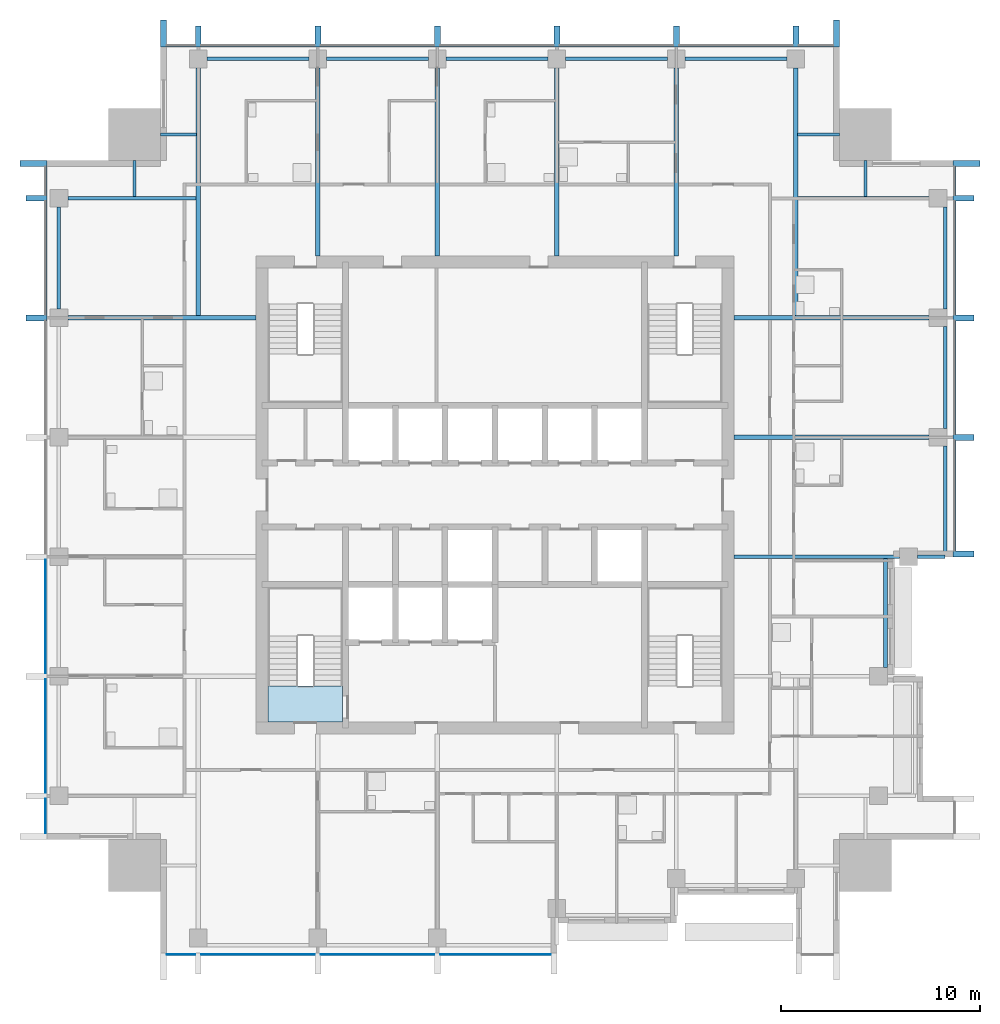
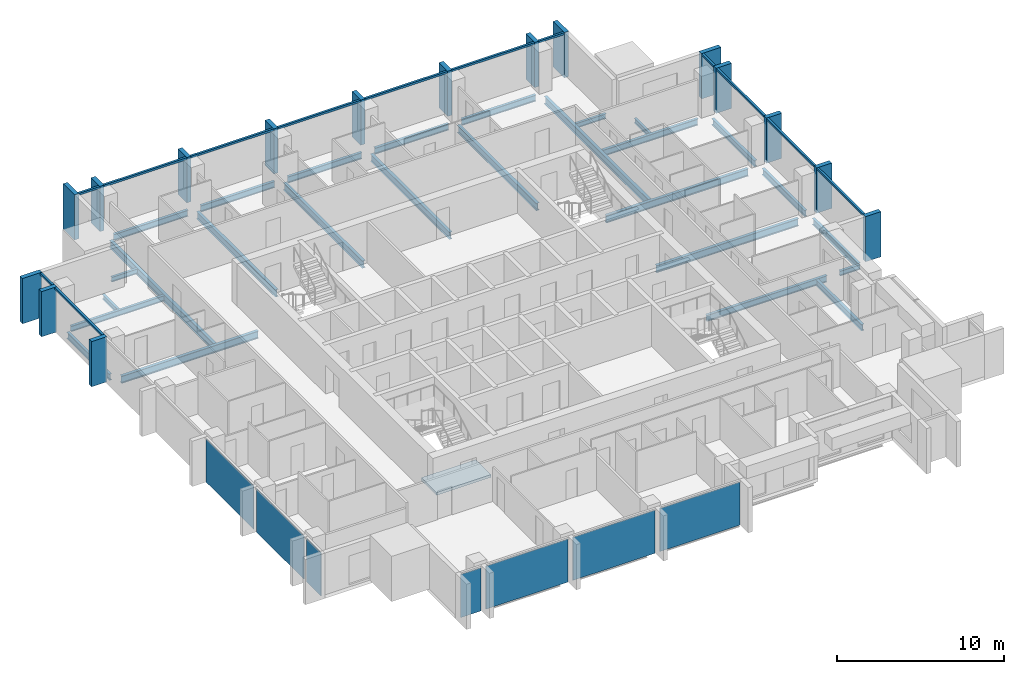
# One storey, part 2 of 10: 29 members, 27 beams, 7 plates, 1 slab, 5 elements without a shape of their own.
"""IFC4 building model written with IfcOpenShell, lengths in metres."""

from ifc_helpers import new_model, si_unit, direction, frame, origin, origin_2d, place, context, subcontext, project, spatial, polyline, rectangle, i_section, outline, extrude, material, layer, layer_set, material_profile, profile_set, type_object, element, aggregate, save


model = new_model("IFC4")

# Units and contexts
model_context = context("Model", 3, precision=1e-05, world=origin(), true_north=direction((0.0, 1.0)))
body_context = subcontext(model_context, "Body", "Model", "MODEL_VIEW")
ifc_project = project(units=[si_unit("LENGTHUNIT", "METRE"), si_unit("AREAUNIT", "SQUARE_METRE"), si_unit("VOLUMEUNIT", "CUBIC_METRE"), si_unit("PLANEANGLEUNIT", "RADIAN"), si_unit("MASSUNIT", "GRAM", prefix="KILO")], contexts=[model_context])

# Site, building, storey
site_placement = place(None, origin())
site = spatial("IfcSite", under=ifc_project, at=site_placement, CompositionType="ELEMENT")
building_placement = place(site_placement, origin())
building = spatial("IfcBuilding", under=site, at=building_placement, Name="Amberfall Residences", CompositionType="ELEMENT")
storey_placement = place(building_placement, frame((0.0, 0.0, 203.5)))
storey = spatial("IfcBuildingStorey", under=building, at=storey_placement, Name="L54", CompositionType="ELEMENT", Elevation=203.5)

# Curtain wall, members
ifc_material_1 = material(Name="Bronze anodised aluminium and glass", Category="aluminium")
curtain_wall_type = type_object("IfcCurtainWallType", Name="Curtain wall CW1 tower unit", PredefinedType="USERDEFINED", material=ifc_material_1)
curtain_wall_1_placement = place(storey_placement, origin())
curtain_wall_1 = element("IfcCurtainWall", 1, at=curtain_wall_1_placement, inside=storey, type_object=curtain_wall_type, Name="Curtain wall L54 E E7", ObjectType="UNITISED CURTAIN WALL", PredefinedType="USERDEFINED")
ifc_material_2 = material(Name="Bronze anodised aluminium", Category="aluminium")
ifc_material_profile_1 = material_profile(ifc_material_2, rectangle(XDim=0.14990234375, YDim=0.14990234375, at=origin_2d()), Name="CW1 transom 150 x 150 bronze")
ifc_profile_set_1 = profile_set([ifc_material_profile_1], Name="Bronze anodised aluminium")
member_type_1 = type_object("IfcMemberType", Name="CW1 transom 150 x 150 bronze", PredefinedType="USERDEFINED", material=ifc_profile_set_1)
member_1_placement = place(storey_placement, frame((97.574951171875, 42.699951171875, 2.97509765625), z_axis=(0.0, 1.0, 0.0), x_axis=(-1.0, 0.0, 0.0)))
member_1 = element("IfcMember", 2, at=member_1_placement, type_object=member_type_1, Name="CW1 transom 1.1", ObjectType="TRANSOM", PredefinedType="USERDEFINED", context=body_context, shape_type="SweptSolid", body=[
    extrude(rectangle(XDim=0.14990234375, YDim=0.14990234375, at=origin_2d()), origin(), (0.0, 0.0, 1.0), 5.550048828125),
])
member_2_placement = place(storey_placement, frame((97.574951171875, 48.550048828125, 2.97509765625), z_axis=(0.0, 1.0, 0.0), x_axis=(-1.0, 0.0, 0.0)))
member_2 = element("IfcMember", 3, at=member_2_placement, type_object=member_type_1, Name="CW1 transom 2.1", ObjectType="TRANSOM", PredefinedType="USERDEFINED", context=body_context, shape_type="SweptSolid", body=[
    extrude(rectangle(XDim=0.14990234375, YDim=0.14990234375, at=origin_2d()), origin(), (0.0, 0.0, 1.0), 5.699951171875),
])
member_3_placement = place(storey_placement, frame((97.574951171875, 54.550048828125, 2.97509765625), z_axis=(0.0, 1.0, 0.0), x_axis=(-1.0, 0.0, 0.0)))
member_3 = element("IfcMember", 4, at=member_3_placement, type_object=member_type_1, Name="CW1 transom 3.1", ObjectType="TRANSOM", PredefinedType="USERDEFINED", context=body_context, shape_type="SweptSolid", body=[
    extrude(rectangle(XDim=0.14990234375, YDim=0.14990234375, at=origin_2d()), origin(), (0.0, 0.0, 1.0), 5.699951171875),
])
member_4_placement = place(storey_placement, frame((97.574951171875, 60.550048828125, 2.97509765625), z_axis=(0.0, 1.0, 0.0), x_axis=(-1.0, 0.0, 0.0)))
member_4 = element("IfcMember", 5, at=member_4_placement, type_object=member_type_1, Name="CW1 transom 4.1", ObjectType="TRANSOM", PredefinedType="USERDEFINED", context=body_context, shape_type="SweptSolid", body=[
    extrude(rectangle(XDim=0.14990234375, YDim=0.14990234375, at=origin_2d()), origin(), (0.0, 0.0, 1.0), 1.449951171875),
])

curtain_wall_2_placement = place(storey_placement, origin())
curtain_wall_2 = element("IfcCurtainWall", 6, at=curtain_wall_2_placement, inside=storey, type_object=curtain_wall_type, Name="Curtain wall L54 N N1", ObjectType="UNITISED CURTAIN WALL", PredefinedType="USERDEFINED")
member_5_placement = place(storey_placement, frame((91.5, 68.074951171875, 2.97509765625), z_axis=(-1.0, 0.0, 0.0), x_axis=(0.0, -1.0, 0.0)))
member_5 = element("IfcMember", 7, at=member_5_placement, type_object=member_type_1, Name="CW1 transom 1.1", ObjectType="TRANSOM", PredefinedType="USERDEFINED", context=body_context, shape_type="SweptSolid", body=[
    extrude(rectangle(XDim=0.14990234375, YDim=0.14990234375, at=origin_2d()), origin(), (0.0, 0.0, 1.0), 1.75),
])
member_6_placement = place(storey_placement, frame((89.449951171875, 68.074951171875, 2.97509765625), z_axis=(-1.0, 0.0, 0.0), x_axis=(0.0, -1.0, 0.0)))
member_6 = element("IfcMember", 8, at=member_6_placement, type_object=member_type_1, Name="CW1 transom 2.1", ObjectType="TRANSOM", PredefinedType="USERDEFINED", context=body_context, shape_type="SweptSolid", body=[
    extrude(rectangle(XDim=0.14990234375, YDim=0.14990234375, at=origin_2d()), origin(), (0.0, 0.0, 1.0), 5.699951171875),
])
member_7_placement = place(storey_placement, frame((83.449951171875, 68.074951171875, 2.97509765625), z_axis=(-1.0, 0.0, 0.0), x_axis=(0.0, -1.0, 0.0)))
member_7 = element("IfcMember", 9, at=member_7_placement, type_object=member_type_1, Name="CW1 transom 3.1", ObjectType="TRANSOM", PredefinedType="USERDEFINED", context=body_context, shape_type="SweptSolid", body=[
    extrude(rectangle(XDim=0.14990234375, YDim=0.14990234375, at=origin_2d()), origin(), (0.0, 0.0, 1.0), 5.699951171875),
])
member_8_placement = place(storey_placement, frame((77.449951171875, 68.074951171875, 2.97509765625), z_axis=(-1.0, 0.0, 0.0), x_axis=(0.0, -1.0, 0.0)))
member_8 = element("IfcMember", 10, at=member_8_placement, type_object=member_type_1, Name="CW1 transom 4.1", ObjectType="TRANSOM", PredefinedType="USERDEFINED", context=body_context, shape_type="SweptSolid", body=[
    extrude(rectangle(XDim=0.14990234375, YDim=0.14990234375, at=origin_2d()), origin(), (0.0, 0.0, 1.0), 5.699951171875),
])
member_9_placement = place(storey_placement, frame((71.449951171875, 68.074951171875, 2.97509765625), z_axis=(-1.0, 0.0, 0.0), x_axis=(0.0, -1.0, 0.0)))
member_9 = element("IfcMember", 11, at=member_9_placement, type_object=member_type_1, Name="CW1 transom 5.1", ObjectType="TRANSOM", PredefinedType="USERDEFINED", context=body_context, shape_type="SweptSolid", body=[
    extrude(rectangle(XDim=0.14990234375, YDim=0.14990234375, at=origin_2d()), origin(), (0.0, 0.0, 1.0), 5.699951171875),
])
member_10_placement = place(storey_placement, frame((65.449951171875, 68.074951171875, 2.97509765625), z_axis=(-1.0, 0.0, 0.0), x_axis=(0.0, -1.0, 0.0)))
member_10 = element("IfcMember", 12, at=member_10_placement, type_object=member_type_1, Name="CW1 transom 6.1", ObjectType="TRANSOM", PredefinedType="USERDEFINED", context=body_context, shape_type="SweptSolid", body=[
    extrude(rectangle(XDim=0.14990234375, YDim=0.14990234375, at=origin_2d()), origin(), (0.0, 0.0, 1.0), 5.699951171875),
])
member_11_placement = place(storey_placement, frame((59.449951171875, 68.074951171875, 2.97509765625), z_axis=(-1.0, 0.0, 0.0), x_axis=(0.0, -1.0, 0.0)))
member_11 = element("IfcMember", 13, at=member_11_placement, type_object=member_type_1, Name="CW1 transom 7.1", ObjectType="TRANSOM", PredefinedType="USERDEFINED", context=body_context, shape_type="SweptSolid", body=[
    extrude(rectangle(XDim=0.14990234375, YDim=0.14990234375, at=origin_2d()), origin(), (0.0, 0.0, 1.0), 1.449951171875),
])

curtain_wall_3_placement = place(storey_placement, origin())
curtain_wall_3 = element("IfcCurtainWall", 14, at=curtain_wall_3_placement, inside=storey, type_object=curtain_wall_type, Name="Curtain wall L54 W W1", ObjectType="UNITISED CURTAIN WALL", PredefinedType="USERDEFINED")
member_12_placement = place(storey_placement, frame((51.925048828125, 62.0, 2.97509765625), z_axis=(0.0, -1.0, 0.0), x_axis=(1.0, 0.0, 0.0)))
member_12 = element("IfcMember", 15, at=member_12_placement, type_object=member_type_1, Name="CW1 transom 1.1", ObjectType="TRANSOM", PredefinedType="USERDEFINED", context=body_context, shape_type="SweptSolid", body=[
    extrude(rectangle(XDim=0.14990234375, YDim=0.14990234375, at=origin_2d()), origin(), (0.0, 0.0, 1.0), 1.449951171875),
])
member_13_placement = place(storey_placement, frame((51.925048828125, 60.25, 2.97509765625), z_axis=(0.0, -1.0, 0.0), x_axis=(1.0, 0.0, 0.0)))
member_13 = element("IfcMember", 16, at=member_13_placement, type_object=member_type_1, Name="CW1 transom 2.1", ObjectType="TRANSOM", PredefinedType="USERDEFINED", context=body_context, shape_type="SweptSolid", body=[
    extrude(rectangle(XDim=0.14990234375, YDim=0.14990234375, at=origin_2d()), origin(), (0.0, 0.0, 1.0), 5.699951171875),
])

# Beam
ifc_material_3 = material(Name="Steel S355", Category="steel")
ifc_material_profile_2 = material_profile(ifc_material_3, i_section(OverallWidth=0.171142578125, OverallDepth=0.351318359375, WebThickness=0.007080078125, FlangeThickness=0.009765625, FilletRadius=0.01025390625, at=origin_2d()), Name="UB 356x171x45")
ifc_profile_set_2 = profile_set([ifc_material_profile_2], Name="Steel S355")
beam_type_1 = type_object("IfcBeamType", Name="Cantilever girder UB 356x171x45", PredefinedType="BEAM", material=ifc_profile_set_2)
beam_1_placement = place(storey_placement, frame((95.699951171875, 42.39990234375, -0.42578125), z_axis=(1.0, 0.0, 0.0), x_axis=(0.0, 1.0, 0.0)))
element("IfcBeam", 17, at=beam_1_placement, inside=storey, type_object=beam_type_1, Name="Cantilever girder B8 L54 21", PredefinedType="BEAM", context=body_context, shape_type="SweptSolid", body=[
    extrude(i_section(OverallWidth=0.171142578125, OverallDepth=0.351318359375, WebThickness=0.007080078125, FlangeThickness=0.009765625, FilletRadius=0.01025390625, at=origin_2d()), origin(), (0.0, 0.0, 1.0), 1.400146484375),
])

# Member
ifc_material_profile_3 = material_profile(ifc_material_2, rectangle(XDim=1.35009765625, YDim=0.300048828125, at=origin_2d()), Name="Corner fin 300 x 1350 bronze")
ifc_profile_set_3 = profile_set([ifc_material_profile_3], Name="Bronze anodised aluminium")
member_type_2 = type_object("IfcMemberType", Name="Corner fin 300 x 1350 bronze", PredefinedType="MULLION", material=ifc_profile_set_3)
member_14_placement = place(storey_placement, frame((98.175048828125, 62.14990234375, -0.25), z_axis=(0.0, 0.0, 1.0), x_axis=(-1.0, 0.0, 0.0)))
member_14 = element("IfcMember", 18, at=member_14_placement, type_object=member_type_2, Name="CW FIN 5", PredefinedType="MULLION", context=body_context, shape_type="SweptSolid", body=[
    extrude(rectangle(XDim=1.35009765625, YDim=0.300048828125, at=origin_2d()), origin(), (0.0, 0.0, 1.0), 3.300048828125),
])

member_15_placement = place(storey_placement, frame((91.64990234375, 68.675048828125, -0.25), z_axis=(0.0, 0.0, 1.0), x_axis=(0.0, -1.0, 0.0)))
member_15 = element("IfcMember", 19, at=member_15_placement, type_object=member_type_2, Name="CW FIN 1", PredefinedType="MULLION", context=body_context, shape_type="SweptSolid", body=[
    extrude(rectangle(XDim=1.35009765625, YDim=0.300048828125, at=origin_2d()), origin(), (0.0, 0.0, 1.0), 3.300048828125),
])

member_16_placement = place(storey_placement, frame((57.85009765625, 68.675048828125, -0.25), z_axis=(0.0, 0.0, 1.0), x_axis=(0.0, -1.0, 0.0)))
member_16 = element("IfcMember", 20, at=member_16_placement, type_object=member_type_2, Name="CW FIN 8", PredefinedType="MULLION", context=body_context, shape_type="SweptSolid", body=[
    extrude(rectangle(XDim=1.35009765625, YDim=0.300048828125, at=origin_2d()), origin(), (0.0, 0.0, 1.0), 3.300048828125),
])

member_17_placement = place(storey_placement, frame((51.324951171875, 62.14990234375, -0.25), z_axis=(0.0, 0.0, 1.0), x_axis=(1.0, 0.0, 0.0)))
member_17 = element("IfcMember", 21, at=member_17_placement, type_object=member_type_2, Name="CW FIN 1", PredefinedType="MULLION", context=body_context, shape_type="SweptSolid", body=[
    extrude(rectangle(XDim=1.35009765625, YDim=0.300048828125, at=origin_2d()), origin(), (0.0, 0.0, 1.0), 3.300048828125),
])

# Beams
ifc_material_profile_4 = material_profile(ifc_material_3, i_section(OverallWidth=0.18994140625, OverallDepth=0.453369140625, WebThickness=0.008544921875, FlangeThickness=0.0126953125, FilletRadius=0.01025390625, at=origin_2d()), Name="UB 457x191x67")
ifc_profile_set_4 = profile_set([ifc_material_profile_4], Name="Steel S355")
beam_type_2 = type_object("IfcBeamType", Name="Edge beam UB 457x191x67", PredefinedType="SPANDREL", material=ifc_profile_set_4)
for number, where, z_axis, x_axis, name in (
    (22, (94.10009765625, 36.85009765625, -0.476806640625), (0.0, 1.0, 0.0), (-1.0, 0.0, 0.0), "Edge beam B1 L54 15"),
    (23, (97.10009765625, 42.47998046875, -0.476806640625), (0.0, 1.0, 0.0), (-1.0, 0.0, 0.0), "Edge beam B1 L54 16"),
):
    element("IfcBeam", number, at=place(storey_placement, frame(where, z_axis=z_axis, x_axis=x_axis)), inside=storey, type_object=beam_type_2, Name=name, PredefinedType="SPANDREL", context=body_context, shape_type="SweptSolid", body=[
        extrude(i_section(OverallWidth=0.18994140625, OverallDepth=0.453369140625, WebThickness=0.008544921875, FlangeThickness=0.0126953125, FilletRadius=0.01025390625, at=origin_2d()), origin(), (0.0, 0.0, 1.0), 5.469970703125),
    ])
for number, where, z_axis, x_axis, name in (
    (24, (97.10009765625, 48.85009765625, -0.476806640625), (0.0, 1.0, 0.0), (-1.0, 0.0, 0.0), "Edge beam B1 L54 17"),
    (25, (97.10009765625, 54.85009765625, -0.476806640625), (0.0, 1.0, 0.0), (-1.0, 0.0, 0.0), "Edge beam B1 L54 18"),
    (26, (60.050048828125, 67.39990234375, -0.476806640625), (1.0, 0.0, 0.0), (0.0, 1.0, 0.0), "Edge beam B1 L54 28"),
    (27, (66.050048828125, 67.39990234375, -0.476806640625), (1.0, 0.0, 0.0), (0.0, 1.0, 0.0), "Edge beam B1 L54 29"),
    (28, (72.050048828125, 67.39990234375, -0.476806640625), (1.0, 0.0, 0.0), (0.0, 1.0, 0.0), "Edge beam B1 L54 30"),
    (29, (78.050048828125, 67.39990234375, -0.476806640625), (1.0, 0.0, 0.0), (0.0, 1.0, 0.0), "Edge beam B1 L54 31"),
    (30, (84.050048828125, 67.39990234375, -0.476806640625), (1.0, 0.0, 0.0), (0.0, 1.0, 0.0), "Edge beam B1 L54 32"),
    (31, (52.60009765625, 54.85009765625, -0.476806640625), (0.0, 1.0, 0.0), (-1.0, 0.0, 0.0), "Edge beam B1 L54 43"),
):
    element("IfcBeam", number, at=place(storey_placement, frame(where, z_axis=z_axis, x_axis=x_axis)), inside=storey, type_object=beam_type_2, Name=name, PredefinedType="SPANDREL", context=body_context, shape_type="SweptSolid", body=[
        extrude(i_section(OverallWidth=0.18994140625, OverallDepth=0.453369140625, WebThickness=0.008544921875, FlangeThickness=0.0126953125, FilletRadius=0.01025390625, at=origin_2d()), origin(), (0.0, 0.0, 1.0), 5.099853515625),
    ])

# Member
ifc_material_profile_5 = material_profile(ifc_material_2, rectangle(XDim=1.050048828125, YDim=0.300048828125, at=origin_2d()), Name="Fin 300 x 1050 bronze")
ifc_profile_set_5 = profile_set([ifc_material_profile_5], Name="Bronze anodised aluminium")
member_type_3 = type_object("IfcMemberType", Name="Fin 300 x 1050 bronze", PredefinedType="MULLION", material=ifc_profile_set_5)
member_18_placement = place(storey_placement, frame((98.02490234375, 42.550048828125, -0.25), z_axis=(0.0, 0.0, 1.0), x_axis=(-1.0, 0.0, 0.0)))
member_18 = element("IfcMember", 32, at=member_18_placement, type_object=member_type_3, Name="CW FIN 1", PredefinedType="MULLION", context=body_context, shape_type="SweptSolid", body=[
    extrude(rectangle(XDim=1.050048828125, YDim=0.300048828125, at=origin_2d()), origin(), (0.0, 0.0, 1.0), 3.300048828125),
])

member_19_placement = place(storey_placement, frame((98.02490234375, 48.39990234375, -0.25), z_axis=(0.0, 0.0, 1.0), x_axis=(-1.0, 0.0, 0.0)))
member_19 = element("IfcMember", 33, at=member_19_placement, type_object=member_type_3, Name="CW FIN 2", PredefinedType="MULLION", context=body_context, shape_type="SweptSolid", body=[
    extrude(rectangle(XDim=1.050048828125, YDim=0.300048828125, at=origin_2d()), origin(), (0.0, 0.0, 1.0), 3.300048828125),
])

member_20_placement = place(storey_placement, frame((98.02490234375, 54.39990234375, -0.25), z_axis=(0.0, 0.0, 1.0), x_axis=(-1.0, 0.0, 0.0)))
member_20 = element("IfcMember", 34, at=member_20_placement, type_object=member_type_3, Name="CW FIN 3", PredefinedType="MULLION", context=body_context, shape_type="SweptSolid", body=[
    extrude(rectangle(XDim=1.050048828125, YDim=0.300048828125, at=origin_2d()), origin(), (0.0, 0.0, 1.0), 3.300048828125),
])

member_21_placement = place(storey_placement, frame((98.02490234375, 60.39990234375, -0.25), z_axis=(0.0, 0.0, 1.0), x_axis=(-1.0, 0.0, 0.0)))
member_21 = element("IfcMember", 35, at=member_21_placement, type_object=member_type_3, Name="CW FIN 4", PredefinedType="MULLION", context=body_context, shape_type="SweptSolid", body=[
    extrude(rectangle(XDim=1.050048828125, YDim=0.300048828125, at=origin_2d()), origin(), (0.0, 0.0, 1.0), 3.300048828125),
])

aggregate(curtain_wall_1, [member_18, member_19, member_20, member_21, member_14, member_1, member_2, member_3, member_4])

member_22_placement = place(storey_placement, frame((89.60009765625, 68.52490234375, -0.25), z_axis=(0.0, 0.0, 1.0), x_axis=(0.0, -1.0, 0.0)))
member_22 = element("IfcMember", 36, at=member_22_placement, type_object=member_type_3, Name="CW FIN 2", PredefinedType="MULLION", context=body_context, shape_type="SweptSolid", body=[
    extrude(rectangle(XDim=1.050048828125, YDim=0.300048828125, at=origin_2d()), origin(), (0.0, 0.0, 1.0), 3.300048828125),
])

member_23_placement = place(storey_placement, frame((83.60009765625, 68.52490234375, -0.25), z_axis=(0.0, 0.0, 1.0), x_axis=(0.0, -1.0, 0.0)))
member_23 = element("IfcMember", 37, at=member_23_placement, type_object=member_type_3, Name="CW FIN 3", PredefinedType="MULLION", context=body_context, shape_type="SweptSolid", body=[
    extrude(rectangle(XDim=1.050048828125, YDim=0.300048828125, at=origin_2d()), origin(), (0.0, 0.0, 1.0), 3.300048828125),
])

member_24_placement = place(storey_placement, frame((77.60009765625, 68.52490234375, -0.25), z_axis=(0.0, 0.0, 1.0), x_axis=(0.0, -1.0, 0.0)))
member_24 = element("IfcMember", 38, at=member_24_placement, type_object=member_type_3, Name="CW FIN 4", PredefinedType="MULLION", context=body_context, shape_type="SweptSolid", body=[
    extrude(rectangle(XDim=1.050048828125, YDim=0.300048828125, at=origin_2d()), origin(), (0.0, 0.0, 1.0), 3.300048828125),
])

member_25_placement = place(storey_placement, frame((71.60009765625, 68.52490234375, -0.25), z_axis=(0.0, 0.0, 1.0), x_axis=(0.0, -1.0, 0.0)))
member_25 = element("IfcMember", 39, at=member_25_placement, type_object=member_type_3, Name="CW FIN 5", PredefinedType="MULLION", context=body_context, shape_type="SweptSolid", body=[
    extrude(rectangle(XDim=1.050048828125, YDim=0.300048828125, at=origin_2d()), origin(), (0.0, 0.0, 1.0), 3.300048828125),
])

member_26_placement = place(storey_placement, frame((65.60009765625, 68.52490234375, -0.25), z_axis=(0.0, 0.0, 1.0), x_axis=(0.0, -1.0, 0.0)))
member_26 = element("IfcMember", 40, at=member_26_placement, type_object=member_type_3, Name="CW FIN 6", PredefinedType="MULLION", context=body_context, shape_type="SweptSolid", body=[
    extrude(rectangle(XDim=1.050048828125, YDim=0.300048828125, at=origin_2d()), origin(), (0.0, 0.0, 1.0), 3.300048828125),
])

member_27_placement = place(storey_placement, frame((59.60009765625, 68.52490234375, -0.25), z_axis=(0.0, 0.0, 1.0), x_axis=(0.0, -1.0, 0.0)))
member_27 = element("IfcMember", 41, at=member_27_placement, type_object=member_type_3, Name="CW FIN 7", PredefinedType="MULLION", context=body_context, shape_type="SweptSolid", body=[
    extrude(rectangle(XDim=1.050048828125, YDim=0.300048828125, at=origin_2d()), origin(), (0.0, 0.0, 1.0), 3.300048828125),
])

aggregate(curtain_wall_2, [member_15, member_22, member_23, member_24, member_25, member_26, member_27, member_16, member_5, member_6, member_7, member_8, member_9, member_10, member_11])

member_28_placement = place(storey_placement, frame((51.47509765625, 60.39990234375, -0.25), z_axis=(0.0, 0.0, 1.0), x_axis=(1.0, 0.0, 0.0)))
member_28 = element("IfcMember", 42, at=member_28_placement, type_object=member_type_3, Name="CW FIN 2", PredefinedType="MULLION", context=body_context, shape_type="SweptSolid", body=[
    extrude(rectangle(XDim=1.050048828125, YDim=0.300048828125, at=origin_2d()), origin(), (0.0, 0.0, 1.0), 3.300048828125),
])

member_29_placement = place(storey_placement, frame((51.47509765625, 54.39990234375, -0.25), z_axis=(0.0, 0.0, 1.0), x_axis=(1.0, 0.0, 0.0)))
member_29 = element("IfcMember", 43, at=member_29_placement, type_object=member_type_3, Name="CW FIN 3", PredefinedType="MULLION", context=body_context, shape_type="SweptSolid", body=[
    extrude(rectangle(XDim=1.050048828125, YDim=0.300048828125, at=origin_2d()), origin(), (0.0, 0.0, 1.0), 3.300048828125),
])

# Beams
ifc_material_profile_6 = material_profile(ifc_material_3, i_section(OverallWidth=0.177734375, OverallDepth=0.402587890625, WebThickness=0.0078125, FlangeThickness=0.010986328125, FilletRadius=0.01025390625, at=origin_2d()), Name="UB 406x178x54")
ifc_profile_set_6 = profile_set([ifc_material_profile_6], Name="Steel S355")
beam_type_3 = type_object("IfcBeamType", Name="Floor girder UB 406x178x54", PredefinedType="BEAM", material=ifc_profile_set_6)
beam_2_placement = place(storey_placement, frame((53.050048828125, 60.39990234375, -0.451416015625), z_axis=(1.0, 0.0, 0.0), x_axis=(0.0, 1.0, 0.0)))
element("IfcBeam", 44, at=beam_2_placement, inside=storey, type_object=beam_type_3, Name="Floor girder B4 L54 49", PredefinedType="BEAM", context=body_context, shape_type="SweptSolid", body=[
    extrude(i_section(OverallWidth=0.177734375, OverallDepth=0.402587890625, WebThickness=0.0078125, FlangeThickness=0.010986328125, FilletRadius=0.01025390625, at=origin_2d()), origin(), (0.0, 0.0, 1.0), 6.429931640625),
])
ifc_material_profile_7 = material_profile(ifc_material_3, i_section(OverallWidth=0.19140625, OverallDepth=0.4599609375, WebThickness=0.010009765625, FlangeThickness=0.01611328125, FilletRadius=0.01025390625, at=origin_2d()), Name="UB 457x191x82")
ifc_profile_set_7 = profile_set([ifc_material_profile_7], Name="Steel S355")
beam_type_4 = type_object("IfcBeamType", Name="Floor girder UB 457x191x82", PredefinedType="BEAM", material=ifc_profile_set_7)
beam_3_placement = place(storey_placement, frame((94.800048828125, 42.39990234375, -0.47998046875), z_axis=(-1.0, 0.0, 0.0), x_axis=(0.0, -1.0, 0.0)))
element("IfcBeam", 45, at=beam_3_placement, inside=storey, type_object=beam_type_4, Name="Floor girder B10 L54 24", PredefinedType="BEAM", context=body_context, shape_type="SweptSolid", body=[
    extrude(i_section(OverallWidth=0.19140625, OverallDepth=0.4599609375, WebThickness=0.010009765625, FlangeThickness=0.01611328125, FilletRadius=0.01025390625, at=origin_2d()), origin(), (0.0, 0.0, 1.0), 8.300048828125),
])
beam_4_placement = place(storey_placement, frame((96.300048828125, 60.39990234375, -0.47998046875), z_axis=(-1.0, 0.0, 0.0), x_axis=(0.0, -1.0, 0.0)))
element("IfcBeam", 46, at=beam_4_placement, inside=storey, type_object=beam_type_4, Name="Floor girder B10 L54 27", PredefinedType="BEAM", context=body_context, shape_type="SweptSolid", body=[
    extrude(i_section(OverallWidth=0.19140625, OverallDepth=0.4599609375, WebThickness=0.010009765625, FlangeThickness=0.01611328125, FilletRadius=0.01025390625, at=origin_2d()), origin(), (0.0, 0.0, 1.0), 6.580078125),
])
ifc_material_profile_8 = material_profile(ifc_material_3, i_section(OverallWidth=0.210693359375, OverallDepth=0.53955078125, WebThickness=0.01171875, FlangeThickness=0.018798828125, FilletRadius=0.0126953125, at=origin_2d()), Name="UB 533x210x109")
ifc_profile_set_8 = profile_set([ifc_material_profile_8], Name="Steel S355")
beam_type_5 = type_object("IfcBeamType", Name="Floor girder UB 533x210x109", PredefinedType="BEAM", material=ifc_profile_set_8)
for number, where, z_axis, x_axis, name in (
    (47, (59.60009765625, 66.949951171875, -0.519775390625), (0.0, -1.0, 0.0), (1.0, 0.0, 0.0), "Floor girder B2 L54 33"),
    (48, (89.60009765625, 66.949951171875, -0.519775390625), (0.0, -1.0, 0.0), (1.0, 0.0, 0.0), "Floor girder B2 L54 38"),
):
    element("IfcBeam", number, at=place(storey_placement, frame(where, z_axis=z_axis, x_axis=x_axis)), inside=storey, type_object=beam_type_5, Name=name, PredefinedType="BEAM", context=body_context, shape_type="SweptSolid", body=[
        extrude(i_section(OverallWidth=0.210693359375, OverallDepth=0.53955078125, WebThickness=0.01171875, FlangeThickness=0.018798828125, FilletRadius=0.0126953125, at=origin_2d()), origin(), (0.0, 0.0, 1.0), 12.450439453125),
    ])
ifc_material_profile_9 = material_profile(ifc_material_3, i_section(OverallWidth=0.209228515625, OverallDepth=0.533203125, WebThickness=0.010009765625, FlangeThickness=0.015625, FilletRadius=0.0126953125, at=origin_2d()), Name="UB 533x210x92")
ifc_profile_set_9 = profile_set([ifc_material_profile_9], Name="Steel S355")
beam_type_6 = type_object("IfcBeamType", Name="Floor girder UB 533x210x92", PredefinedType="BEAM", material=ifc_profile_set_9)
for number, where, z_axis, x_axis, name in (
    (49, (96.300048828125, 48.39990234375, -0.5166015625), (-1.0, 0.0, 0.0), (0.0, -1.0, 0.0), "Floor girder B3 L54 25"),
    (50, (96.300048828125, 54.39990234375, -0.5166015625), (-1.0, 0.0, 0.0), (0.0, -1.0, 0.0), "Floor girder B3 L54 26"),
):
    element("IfcBeam", number, at=place(storey_placement, frame(where, z_axis=z_axis, x_axis=x_axis)), inside=storey, type_object=beam_type_6, Name=name, PredefinedType="BEAM", context=body_context, shape_type="SweptSolid", body=[
        extrude(i_section(OverallWidth=0.209228515625, OverallDepth=0.533203125, WebThickness=0.010009765625, FlangeThickness=0.015625, FilletRadius=0.0126953125, at=origin_2d()), origin(), (0.0, 0.0, 1.0), 9.800048828125),
    ])
for number, where, z_axis, x_axis, name in (
    (51, (65.60009765625, 66.949951171875, -0.5166015625), (0.0, -1.0, 0.0), (1.0, 0.0, 0.0), "Floor girder B3 L54 34"),
    (52, (71.60009765625, 66.949951171875, -0.5166015625), (0.0, -1.0, 0.0), (1.0, 0.0, 0.0), "Floor girder B3 L54 35"),
    (53, (77.60009765625, 66.949951171875, -0.5166015625), (0.0, -1.0, 0.0), (1.0, 0.0, 0.0), "Floor girder B3 L54 36"),
    (54, (83.60009765625, 66.949951171875, -0.5166015625), (0.0, -1.0, 0.0), (1.0, 0.0, 0.0), "Floor girder B3 L54 37"),
    (55, (53.050048828125, 54.39990234375, -0.5166015625), (1.0, 0.0, 0.0), (0.0, 1.0, 0.0), "Floor girder B3 L54 48"),
):
    element("IfcBeam", number, at=place(storey_placement, frame(where, z_axis=z_axis, x_axis=x_axis)), inside=storey, type_object=beam_type_6, Name=name, PredefinedType="BEAM", context=body_context, shape_type="SweptSolid", body=[
        extrude(i_section(OverallWidth=0.209228515625, OverallDepth=0.533203125, WebThickness=0.010009765625, FlangeThickness=0.015625, FilletRadius=0.0126953125, at=origin_2d()), origin(), (0.0, 0.0, 1.0), 9.449951171875),
    ])
ifc_material_profile_10 = material_profile(ifc_material_3, i_section(OverallWidth=0.171142578125, OverallDepth=0.351318359375, WebThickness=0.007080078125, FlangeThickness=0.009765625, FilletRadius=0.01025390625, at=origin_2d()), Name="UB 356x171x45")
ifc_profile_set_10 = profile_set([ifc_material_profile_10], Name="Steel S355")
beam_type_7 = type_object("IfcBeamType", Name="Link beam UB 356x171x45", PredefinedType="BEAM", material=ifc_profile_set_10)
beam_5_placement = place(storey_placement, frame((91.800048828125, 63.60009765625, -0.42578125), z_axis=(-1.0, 0.0, 0.0), x_axis=(0.0, -1.0, 0.0)))
element("IfcBeam", 56, at=beam_5_placement, inside=storey, type_object=beam_type_7, Name="Link beam B7 L54 54", PredefinedType="BEAM", context=body_context, shape_type="SweptSolid", body=[
    extrude(i_section(OverallWidth=0.171142578125, OverallDepth=0.351318359375, WebThickness=0.007080078125, FlangeThickness=0.009765625, FilletRadius=0.01025390625, at=origin_2d()), origin(), (0.0, 0.0, 1.0), 2.104736328125),
])
beam_6_placement = place(storey_placement, frame((93.10009765625, 62.300048828125, -0.42578125), z_axis=(0.0, -1.0, 0.0), x_axis=(1.0, 0.0, 0.0)))
element("IfcBeam", 57, at=beam_6_placement, inside=storey, type_object=beam_type_7, Name="Link beam B7 L54 55", PredefinedType="BEAM", context=body_context, shape_type="SweptSolid", body=[
    extrude(i_section(OverallWidth=0.171142578125, OverallDepth=0.351318359375, WebThickness=0.007080078125, FlangeThickness=0.009765625, FilletRadius=0.01025390625, at=origin_2d()), origin(), (0.0, 0.0, 1.0), 1.814453125),
])
beam_7_placement = place(storey_placement, frame((57.699951171875, 63.60009765625, -0.42578125), z_axis=(1.0, 0.0, 0.0), x_axis=(0.0, 1.0, 0.0)))
element("IfcBeam", 58, at=beam_7_placement, inside=storey, type_object=beam_type_7, Name="Link beam B7 L54 56", PredefinedType="BEAM", context=body_context, shape_type="SweptSolid", body=[
    extrude(i_section(OverallWidth=0.171142578125, OverallDepth=0.351318359375, WebThickness=0.007080078125, FlangeThickness=0.009765625, FilletRadius=0.01025390625, at=origin_2d()), origin(), (0.0, 0.0, 1.0), 1.8046875),
])
beam_8_placement = place(storey_placement, frame((56.39990234375, 62.300048828125, -0.42578125), z_axis=(0.0, -1.0, 0.0), x_axis=(1.0, 0.0, 0.0)))
element("IfcBeam", 59, at=beam_8_placement, inside=storey, type_object=beam_type_7, Name="Link beam B7 L54 57", PredefinedType="BEAM", context=body_context, shape_type="SweptSolid", body=[
    extrude(i_section(OverallWidth=0.171142578125, OverallDepth=0.351318359375, WebThickness=0.007080078125, FlangeThickness=0.009765625, FilletRadius=0.01025390625, at=origin_2d()), origin(), (0.0, 0.0, 1.0), 1.821044921875),
])

# Curtain wall, plates
curtain_wall_4_placement = place(storey_placement, origin())
curtain_wall_4 = element("IfcCurtainWall", 60, at=curtain_wall_4_placement, inside=storey, type_object=curtain_wall_type, Name="Curtain wall L54 S S1", ObjectType="UNITISED CURTAIN WALL", PredefinedType="USERDEFINED")
ifc_material_4 = material(Name="Tinted double glazed unit", Category="glass")
ifc_layer_1 = layer(ifc_material_4, 0.035888671875)
ifc_layer_set_1 = layer_set([ifc_layer_1], Name="CW1 panel 36 glazing")
plate_type = type_object("IfcPlateType", Name="CW1 panel 36 glazing", PredefinedType="CURTAIN_PANEL", material=ifc_layer_set_1)
plate_1_placement = place(storey_placement, frame((58.72509765625, 22.425048828125, -0.25), z_axis=(0.0, 0.0, 1.0), x_axis=(1.0, 0.0, 0.0)))
plate_1 = element("IfcPlate", 61, at=plate_1_placement, type_object=plate_type, Name="CW1 panel 1.1", PredefinedType="CURTAIN_PANEL", context=body_context, shape_type="SweptSolid", body=[
    extrude(rectangle(XDim=1.426025390625, YDim=0.035888671875, at=origin_2d()), origin(), (0.0, 0.0, 1.0), 3.14990234375),
])
plate_2_placement = place(storey_placement, frame((62.60009765625, 22.425048828125, -0.25), z_axis=(0.0, 0.0, 1.0), x_axis=(1.0, 0.0, 0.0)))
plate_2 = element("IfcPlate", 62, at=plate_2_placement, type_object=plate_type, Name="CW1 panel 2.1", PredefinedType="CURTAIN_PANEL", context=body_context, shape_type="SweptSolid", body=[
    extrude(rectangle(XDim=5.676025390625, YDim=0.035888671875, at=origin_2d()), origin(), (0.0, 0.0, 1.0), 3.14990234375),
])
plate_3_placement = place(storey_placement, frame((68.60009765625, 22.425048828125, -0.25), z_axis=(0.0, 0.0, 1.0), x_axis=(1.0, 0.0, 0.0)))
plate_3 = element("IfcPlate", 63, at=plate_3_placement, type_object=plate_type, Name="CW1 panel 3.1", PredefinedType="CURTAIN_PANEL", context=body_context, shape_type="SweptSolid", body=[
    extrude(rectangle(XDim=5.676025390625, YDim=0.035888671875, at=origin_2d()), origin(), (0.0, 0.0, 1.0), 3.14990234375),
])
plate_4_placement = place(storey_placement, frame((74.52490234375, 22.425048828125, -0.25), z_axis=(0.0, 0.0, 1.0), x_axis=(1.0, 0.0, 0.0)))
plate_4 = element("IfcPlate", 64, at=plate_4_placement, type_object=plate_type, Name="CW1 panel 4.1", PredefinedType="CURTAIN_PANEL", context=body_context, shape_type="SweptSolid", body=[
    extrude(rectangle(XDim=5.52587890625, YDim=0.035888671875, at=origin_2d()), origin(), (0.0, 0.0, 1.0), 3.14990234375),
])
aggregate(curtain_wall_4, [plate_1, plate_2, plate_3, plate_4])

# Plate
plate_5_placement = place(storey_placement, frame((51.925048828125, 39.39990234375, -0.25), z_axis=(0.0, 0.0, 1.0), x_axis=(0.0, -1.0, 0.0)))
plate_5 = element("IfcPlate", 65, at=plate_5_placement, type_object=plate_type, Name="CW1 panel 5.1", PredefinedType="CURTAIN_PANEL", context=body_context, shape_type="SweptSolid", body=[
    extrude(rectangle(XDim=5.676025390625, YDim=0.035888671875, at=origin_2d()), origin(), (0.0, 0.0, 1.0), 3.14990234375),
])

plate_6_placement = place(storey_placement, frame((51.925048828125, 33.39990234375, -0.25), z_axis=(0.0, 0.0, 1.0), x_axis=(0.0, -1.0, 0.0)))
plate_6 = element("IfcPlate", 66, at=plate_6_placement, type_object=plate_type, Name="CW1 panel 6.1", PredefinedType="CURTAIN_PANEL", context=body_context, shape_type="SweptSolid", body=[
    extrude(rectangle(XDim=5.676025390625, YDim=0.035888671875, at=origin_2d()), origin(), (0.0, 0.0, 1.0), 3.14990234375),
])

plate_7_placement = place(storey_placement, frame((51.925048828125, 29.375, -0.25), z_axis=(0.0, 0.0, 1.0), x_axis=(0.0, -1.0, 0.0)))
plate_7 = element("IfcPlate", 67, at=plate_7_placement, type_object=plate_type, Name="CW1 panel 7.1", PredefinedType="CURTAIN_PANEL", context=body_context, shape_type="SweptSolid", body=[
    extrude(rectangle(XDim=1.72607421875, YDim=0.035888671875, at=origin_2d()), origin(), (0.0, 0.0, 1.0), 3.14990234375),
])

aggregate(curtain_wall_3, [member_17, member_28, member_29, member_12, member_13, plate_5, plate_6, plate_7])

# Stair, slab
ifc_material_5 = material(Name="Concrete C40", Category="concrete")
stair_type = type_object("IfcStairType", Name="Exit stair 20 risers 165.0 mm", PredefinedType="HALF_TURN_STAIR", material=ifc_material_5)
stair_placement = place(storey_placement, origin())
stair = element("IfcStair", 68, at=stair_placement, inside=storey, type_object=stair_type, Name="L54 Exit stair 1", PredefinedType="HALF_TURN_STAIR")
ifc_layer_2 = layer(ifc_material_5, 0.199951171875)
ifc_layer_set_2 = layer_set([ifc_layer_2], Name="Stair landing 200")
slab_type = type_object("IfcSlabType", Name="Stair landing 200", PredefinedType="LANDING", material=ifc_layer_set_2)
slab_placement = place(storey_placement, frame((0.0, 0.0, -0.199951171875)))
slab = element("IfcSlab", 69, at=slab_placement, type_object=slab_type, Name="ST3 landing 2", PredefinedType="LANDING", context=body_context, shape_type="SweptSolid", body=[
    extrude(outline(polyline([(66.85009765625, 34.10009765625), (66.85009765625, 35.89990234375), (63.10009765625, 35.89990234375), (63.10009765625, 34.10009765625), (66.85009765625, 34.10009765625)])), origin(), (0.0, 0.0, 1.0), 0.199951171875),
])
aggregate(stair, [slab])

save(model, "model.ifc")
